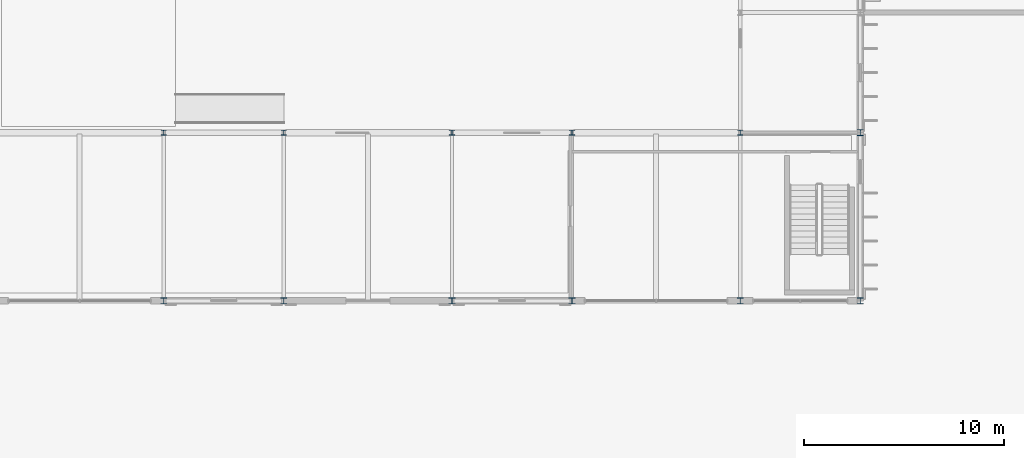
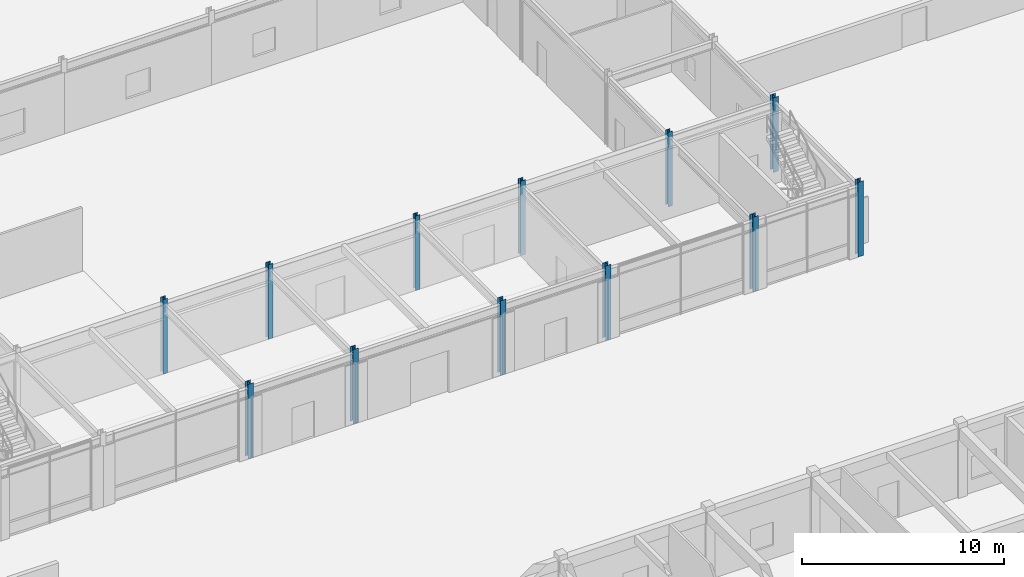
# One storey, part 4 of 67: 12 columns.
"""IFC4 building model written with IfcOpenShell, lengths in metres."""

from ifc_helpers import new_model, si_unit, direction, frame, origin, origin_2d, place, context, subcontext, project, spatial, i_section, extrude, material, material_profile, profile_set, type_object, element, save


model = new_model("IFC4")

# Units and contexts
model_context = context("Model", 3, precision=1e-05, world=origin(), true_north=direction((0.0, 1.0)))
body_context = subcontext(model_context, "Body", "Model", "MODEL_VIEW")
ifc_project = project(units=[si_unit("LENGTHUNIT", "METRE"), si_unit("AREAUNIT", "SQUARE_METRE"), si_unit("VOLUMEUNIT", "CUBIC_METRE"), si_unit("PLANEANGLEUNIT", "RADIAN"), si_unit("MASSUNIT", "GRAM", prefix="KILO"), si_unit("THERMODYNAMICTEMPERATUREUNIT", "KELVIN")], contexts=[model_context])

# Site, building, storey
site_placement = place(None, origin())
site = spatial("IfcSite", under=ifc_project, at=site_placement, CompositionType="ELEMENT")
building_placement = place(site_placement, origin())
building = spatial("IfcBuilding", under=site, at=building_placement, Name="Thalorik Housing Commons", CompositionType="ELEMENT")
storey_placement = place(building_placement, origin())
storey = spatial("IfcBuildingStorey", under=building, at=storey_placement, Name="L00", CompositionType="ELEMENT", Elevation=0.0)

# Columns
ifc_material = material(Name="Steel S355", Category="steel")
ifc_material_profile_1 = material_profile(ifc_material, i_section(OverallWidth=0.260009765625, OverallDepth=0.25390625, WebThickness=0.014404296875, FlangeThickness=0.014404296875, FilletRadius=0.010009765625, at=origin_2d()), Name="HP250x85", Category="steel")
ifc_profile_set_1 = profile_set([ifc_material_profile_1], Name="Steel S355")
column_type_1 = type_object("IfcColumnType", Name="STR-COL-HP250", PredefinedType="COLUMN", material=ifc_profile_set_1)
for number, where, z_axis, x_axis, name in (
    (1, (80.39990234375, 66.0, 0.0), (0.0, 0.0, 1.0), (1.0, 0.0, 0.0), "L00 Column SC-250"),
    (2, (86.39990234375, 66.0, 0.0), (0.0, 0.0, 1.0), (1.0, 0.0, 0.0), "L00 Column SC-250"),
    (3, (94.800048828125, 66.0, 0.0), (0.0, 0.0, 1.0), (1.0, 0.0, 0.0), "L00 Column SC-250"),
    (4, (100.800048828125, 66.0, 0.0), (0.0, 0.0, 1.0), (1.0, 0.0, 0.0), "L00 Column SC-250"),
    (5, (109.199951171875, 66.0, 0.0), (0.0, 0.0, 1.0), (1.0, 0.0, 0.0), "L00 Column SC-250"),
):
    element("IfcColumn", number, at=place(storey_placement, frame(where, z_axis=z_axis, x_axis=x_axis)), inside=storey, type_object=column_type_1, Name=name, PredefinedType="COLUMN", context=body_context, shape_type="SweptSolid", body=[
        extrude(i_section(OverallWidth=0.260009765625, OverallDepth=0.25390625, WebThickness=0.014404296875, FlangeThickness=0.014404296875, FilletRadius=0.010009765625, at=origin_2d()), origin(), (0.0, 0.0, 1.0), 4.5),
    ])
ifc_material_profile_2 = material_profile(ifc_material, i_section(OverallWidth=0.31005859375, OverallDepth=0.30810546875, WebThickness=0.015380859375, FlangeThickness=0.015380859375, FilletRadius=0.011962890625, at=origin_2d()), Name="HP310x110", Category="steel")
ifc_profile_set_2 = profile_set([ifc_material_profile_2], Name="Steel S355")
column_type_2 = type_object("IfcColumnType", Name="STR-COL-HP310", PredefinedType="COLUMN", material=ifc_profile_set_2)
for number, where, z_axis, x_axis, name in (
    (6, (80.39990234375, 57.60009765625, 0.0), (0.0, 0.0, 1.0), (1.0, 0.0, 0.0), "L00 Column SC-310"),
    (7, (86.39990234375, 57.60009765625, 0.0), (0.0, 0.0, 1.0), (1.0, 0.0, 0.0), "L00 Column SC-310"),
    (8, (94.800048828125, 57.60009765625, 0.0), (0.0, 0.0, 1.0), (1.0, 0.0, 0.0), "L00 Column SC-310"),
    (9, (100.800048828125, 57.60009765625, 0.0), (0.0, 0.0, 1.0), (1.0, 0.0, 0.0), "L00 Column SC-310"),
    (10, (109.199951171875, 57.60009765625, 0.0), (0.0, 0.0, 1.0), (1.0, 0.0, 0.0), "L00 Column SC-310"),
    (11, (115.199951171875, 57.60009765625, 0.0), (0.0, 0.0, 1.0), (1.0, 0.0, 0.0), "L00 Column SC-310"),
    (12, (115.199951171875, 66.0, 0.0), (0.0, 0.0, 1.0), (1.0, 0.0, 0.0), "L00 Column SC-310"),
):
    element("IfcColumn", number, at=place(storey_placement, frame(where, z_axis=z_axis, x_axis=x_axis)), inside=storey, type_object=column_type_2, Name=name, PredefinedType="COLUMN", context=body_context, shape_type="SweptSolid", body=[
        extrude(i_section(OverallWidth=0.31005859375, OverallDepth=0.30810546875, WebThickness=0.015380859375, FlangeThickness=0.015380859375, FilletRadius=0.011962890625, at=origin_2d()), origin(), (0.0, 0.0, 1.0), 4.5),
    ])

save(model, "model.ifc")
